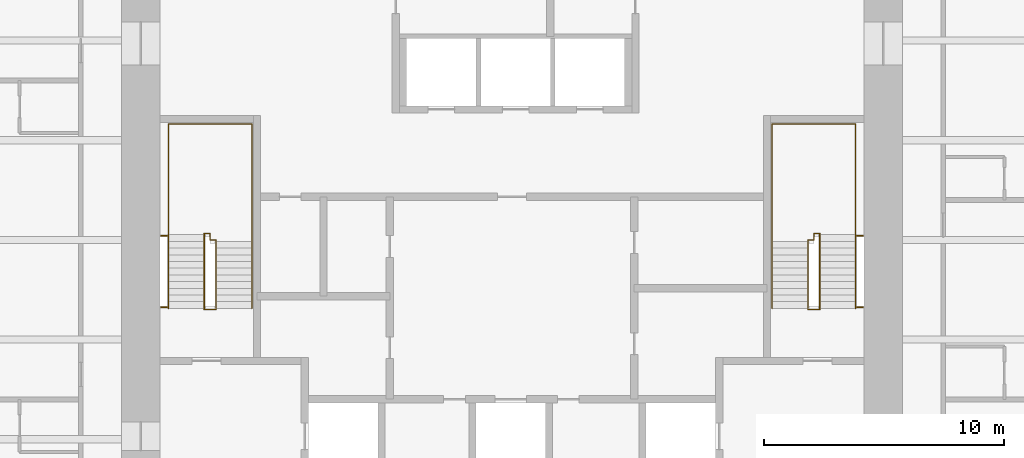
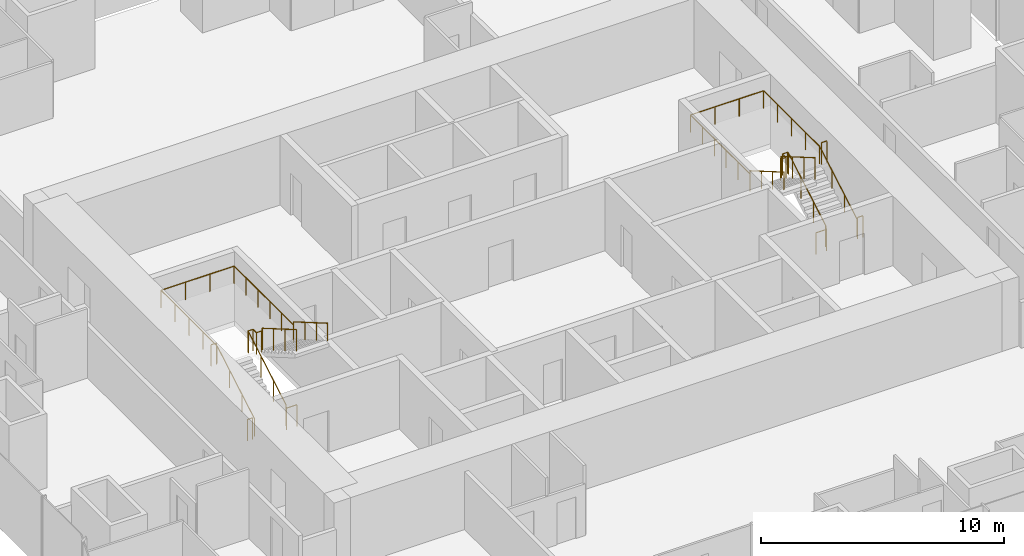
# One storey, part 12 of 12: 8 railings.
"""IFC4 building model written with IfcOpenShell, lengths in metres."""

from ifc_helpers import new_model, si_unit, direction, frame, origin, origin_2d, place, context, subcontext, project, spatial, circle, extrude, material, type_object, element, save


model = new_model("IFC4")

# Units and contexts
model_context = context("Model", 3, precision=1e-05, world=origin(), true_north=direction((0.0, 1.0)))
body_context = subcontext(model_context, "Body", "Model", "MODEL_VIEW")
ifc_project = project(units=[si_unit("LENGTHUNIT", "METRE"), si_unit("AREAUNIT", "SQUARE_METRE"), si_unit("VOLUMEUNIT", "CUBIC_METRE"), si_unit("PLANEANGLEUNIT", "RADIAN"), si_unit("MASSUNIT", "GRAM", prefix="KILO")], contexts=[model_context])

# Site, building, storey
site_placement = place(None, origin())
site = spatial("IfcSite", under=ifc_project, at=site_placement, CompositionType="ELEMENT")
building_placement = place(site_placement, origin())
building = spatial("IfcBuilding", under=site, at=building_placement, Name="Khuree Lantern Residences", CompositionType="ELEMENT")
storey_placement = place(building_placement, frame((0.0, 0.0, 203.25)))
storey = spatial("IfcBuildingStorey", under=building, at=storey_placement, Name="L50", CompositionType="ELEMENT", Elevation=203.25)

# Railings
ifc_material = material(Name="Steel S355", Category="steel")
railing_type_1 = type_object("IfcRailingType", Name="STAIR GUARD G1 1100", PredefinedType="GUARDRAIL", material=ifc_material)
railing_1_placement = place(storey_placement, frame((-12.35009765625, -2.909912109375, 0.0)))
element("IfcRailing", 1, at=railing_1_placement, inside=storey, type_object=railing_type_1, Name="Stair ST1 guard", PredefinedType="GUARDRAIL", context=body_context, shape_type="SweptSolid", body=[
    extrude(circle(Radius=0.02392578125, at=origin_2d()), frame((0.0, 0.0, 1.076171875), z_axis=(-1.0, 0.0, 0.0), x_axis=(0.0, -1.0, 0.0)), (0.0, 0.0, 1.0), 0.5),
    extrude(circle(Radius=0.02392578125, at=origin_2d()), frame((-0.5, 0.0, 1.076171875), z_axis=(0.0, 0.292073035251, 0.95639601739), x_axis=(-1.0, 0.0, 0.0)), (0.0, 0.0, 1.0), 0.17041015625),
    extrude(circle(Radius=0.02392578125, at=origin_2d()), frame((-0.5, 0.0498046875, 1.2392578125), z_axis=(0.0, 0.864176135923, 0.503189433615), x_axis=(-1.0, 0.0, 0.0)), (0.0, 0.0, 1.0), 3.564208984375),
    extrude(circle(Radius=0.02392578125, at=origin_2d()), frame((-0.5, 3.1298828125, 3.03271484375), z_axis=(0.0, 1.0, 0.0), x_axis=(-1.0, 0.0, 0.0)), (0.0, 0.0, 1.0), 0.050048828125),
    extrude(circle(Radius=0.02392578125, at=origin_2d()), frame((-0.5, 3.179931640625, 3.03271484375), z_axis=(1.0, 0.0, 0.0), x_axis=(0.0, 1.0, 0.0)), (0.0, 0.0, 1.0), 0.25),
    extrude(circle(Radius=0.02392578125, at=origin_2d()), frame((-0.25, 3.179931640625, 3.03271484375), z_axis=(0.0, -1.0, 0.0), x_axis=(1.0, 0.0, 0.0)), (0.0, 0.0, 1.0), 0.280029296875),
    extrude(circle(Radius=0.02392578125, at=origin_2d()), frame((-0.25, 2.89990234375, 3.03271484375), z_axis=(1.0, 0.0, 0.0), x_axis=(0.0, 1.0, 0.0)), (0.0, 0.0, 1.0), 0.25),
    extrude(circle(Radius=0.02392578125, at=origin_2d()), frame((0.0, 2.89990234375, 3.03271484375), z_axis=(0.0, -0.293381807449, 0.955995353053), x_axis=(1.0, 0.0, 0.0)), (0.0, 0.0, 1.0), 0.170654296875),
    extrude(circle(Radius=0.02392578125, at=origin_2d()), frame((0.0, 2.849853515625, 3.19580078125), z_axis=(0.0, -0.864180358799, 0.503182181189), x_axis=(1.0, 0.0, 0.0)), (0.0, 0.0, 1.0), 3.240234375),
    extrude(circle(Radius=0.02099609375, at=origin_2d()), origin(), (0.0, 0.0, 1.0), 1.052001953125),
    extrude(circle(Radius=0.02099609375, at=origin_2d()), frame((-0.5, 0.0, 0.0)), (0.0, 0.0, 1.0), 1.052001953125),
    extrude(circle(Radius=0.02099609375, at=origin_2d()), frame((-0.5, 0.0498046875, 0.1630859375)), (0.0, 0.0, 1.0), 1.052001953125),
    extrude(circle(Radius=0.02099609375, at=origin_2d()), frame((-0.5, 1.076416015625, 0.760986328125)), (0.0, 0.0, 1.0), 1.052001953125),
    extrude(circle(Radius=0.02099609375, at=origin_2d()), frame((-0.5, 2.103271484375, 1.358642578125)), (0.0, 0.0, 1.0), 1.052001953125),
    extrude(circle(Radius=0.02099609375, at=origin_2d()), frame((-0.5, 3.1298828125, 1.95654296875)), (0.0, 0.0, 1.0), 1.052001953125),
    extrude(circle(Radius=0.02099609375, at=origin_2d()), frame((-0.5, 3.179931640625, 1.95654296875)), (0.0, 0.0, 1.0), 1.052001953125),
    extrude(circle(Radius=0.02099609375, at=origin_2d()), frame((-0.25, 3.179931640625, 1.95654296875)), (0.0, 0.0, 1.0), 1.052001953125),
    extrude(circle(Radius=0.02099609375, at=origin_2d()), frame((-0.25, 2.89990234375, 1.95654296875)), (0.0, 0.0, 1.0), 1.052001953125),
    extrude(circle(Radius=0.02099609375, at=origin_2d()), frame((0.0, 2.89990234375, 1.95654296875)), (0.0, 0.0, 1.0), 1.052001953125),
    extrude(circle(Radius=0.02099609375, at=origin_2d()), frame((0.0, 2.849853515625, 2.11962890625)), (0.0, 0.0, 1.0), 1.052001953125),
    extrude(circle(Radius=0.02099609375, at=origin_2d()), frame((0.0, 1.91650390625, 2.6630859375)), (0.0, 0.0, 1.0), 1.052001953125),
    extrude(circle(Radius=0.02099609375, at=origin_2d()), frame((0.0, 0.983154296875, 3.20654296875)), (0.0, 0.0, 1.0), 1.052001953125),
    extrude(circle(Radius=0.02099609375, at=origin_2d()), frame((0.0, 0.0498046875, 3.75)), (0.0, 0.0, 1.0), 1.052001953125),
])
for number, where, name in (
    (2, (-14.64990234375, -2.81005859375, 0.0), "Stair ST1 landing slot guard"),
    (3, (-14.64990234375, 0.169921875, 1.95654296875), "Stair ST1 landing slot guard"),
):
    element("IfcRailing", number, at=place(storey_placement, frame(where)), inside=storey, type_object=railing_type_1, Name=name, PredefinedType="GUARDRAIL", context=body_context, shape_type="SweptSolid", body=[
        extrude(circle(Radius=0.02392578125, at=origin_2d()), frame((0.0, 0.0, 1.076171875), z_axis=(1.0, 0.0, 0.0), x_axis=(0.0, 1.0, 0.0)), (0.0, 0.0, 1.0), 0.25),
        extrude(circle(Radius=0.02099609375, at=origin_2d()), origin(), (0.0, 0.0, 1.0), 1.052001953125),
        extrude(circle(Radius=0.02099609375, at=origin_2d()), frame((0.25, 0.0, 0.0)), (0.0, 0.0, 1.0), 1.052001953125),
    ])
railing_2_placement = place(storey_placement, frame((12.35009765625, -2.909912109375, 0.0)))
element("IfcRailing", 4, at=railing_2_placement, inside=storey, type_object=railing_type_1, Name="Stair ST2 guard", PredefinedType="GUARDRAIL", context=body_context, shape_type="SweptSolid", body=[
    extrude(circle(Radius=0.02392578125, at=origin_2d()), frame((0.0, 0.0, 1.076171875), z_axis=(1.0, 0.0, 0.0), x_axis=(0.0, 1.0, 0.0)), (0.0, 0.0, 1.0), 0.5),
    extrude(circle(Radius=0.02392578125, at=origin_2d()), frame((0.5, 0.0, 1.076171875), z_axis=(0.0, 0.292073035251, 0.95639601739), x_axis=(-1.0, 0.0, 0.0)), (0.0, 0.0, 1.0), 0.17041015625),
    extrude(circle(Radius=0.02392578125, at=origin_2d()), frame((0.5, 0.0498046875, 1.2392578125), z_axis=(0.0, 0.864176135923, 0.503189433615), x_axis=(-1.0, 0.0, 0.0)), (0.0, 0.0, 1.0), 3.564208984375),
    extrude(circle(Radius=0.02392578125, at=origin_2d()), frame((0.5, 3.1298828125, 3.03271484375), z_axis=(0.0, 1.0, 0.0), x_axis=(-1.0, 0.0, 0.0)), (0.0, 0.0, 1.0), 0.050048828125),
    extrude(circle(Radius=0.02392578125, at=origin_2d()), frame((0.5, 3.179931640625, 3.03271484375), z_axis=(-1.0, 0.0, 0.0), x_axis=(0.0, -1.0, 0.0)), (0.0, 0.0, 1.0), 0.25),
    extrude(circle(Radius=0.02392578125, at=origin_2d()), frame((0.25, 3.179931640625, 3.03271484375), z_axis=(0.0, -1.0, 0.0), x_axis=(1.0, 0.0, 0.0)), (0.0, 0.0, 1.0), 0.280029296875),
    extrude(circle(Radius=0.02392578125, at=origin_2d()), frame((0.25, 2.89990234375, 3.03271484375), z_axis=(-1.0, 0.0, 0.0), x_axis=(0.0, -1.0, 0.0)), (0.0, 0.0, 1.0), 0.25),
    extrude(circle(Radius=0.02392578125, at=origin_2d()), frame((0.0, 2.89990234375, 3.03271484375), z_axis=(0.0, -0.293381807449, 0.955995353053), x_axis=(1.0, 0.0, 0.0)), (0.0, 0.0, 1.0), 0.170654296875),
    extrude(circle(Radius=0.02392578125, at=origin_2d()), frame((0.0, 2.849853515625, 3.19580078125), z_axis=(0.0, -0.864180358799, 0.503182181189), x_axis=(1.0, 0.0, 0.0)), (0.0, 0.0, 1.0), 3.240234375),
    extrude(circle(Radius=0.02099609375, at=origin_2d()), origin(), (0.0, 0.0, 1.0), 1.052001953125),
    extrude(circle(Radius=0.02099609375, at=origin_2d()), frame((0.5, 0.0, 0.0)), (0.0, 0.0, 1.0), 1.052001953125),
    extrude(circle(Radius=0.02099609375, at=origin_2d()), frame((0.5, 0.0498046875, 0.1630859375)), (0.0, 0.0, 1.0), 1.052001953125),
    extrude(circle(Radius=0.02099609375, at=origin_2d()), frame((0.5, 1.076416015625, 0.760986328125)), (0.0, 0.0, 1.0), 1.052001953125),
    extrude(circle(Radius=0.02099609375, at=origin_2d()), frame((0.5, 2.103271484375, 1.358642578125)), (0.0, 0.0, 1.0), 1.052001953125),
    extrude(circle(Radius=0.02099609375, at=origin_2d()), frame((0.5, 3.1298828125, 1.95654296875)), (0.0, 0.0, 1.0), 1.052001953125),
    extrude(circle(Radius=0.02099609375, at=origin_2d()), frame((0.5, 3.179931640625, 1.95654296875)), (0.0, 0.0, 1.0), 1.052001953125),
    extrude(circle(Radius=0.02099609375, at=origin_2d()), frame((0.25, 3.179931640625, 1.95654296875)), (0.0, 0.0, 1.0), 1.052001953125),
    extrude(circle(Radius=0.02099609375, at=origin_2d()), frame((0.25, 2.89990234375, 1.95654296875)), (0.0, 0.0, 1.0), 1.052001953125),
    extrude(circle(Radius=0.02099609375, at=origin_2d()), frame((0.0, 2.89990234375, 1.95654296875)), (0.0, 0.0, 1.0), 1.052001953125),
    extrude(circle(Radius=0.02099609375, at=origin_2d()), frame((0.0, 2.849853515625, 2.11962890625)), (0.0, 0.0, 1.0), 1.052001953125),
    extrude(circle(Radius=0.02099609375, at=origin_2d()), frame((0.0, 1.91650390625, 2.6630859375)), (0.0, 0.0, 1.0), 1.052001953125),
    extrude(circle(Radius=0.02099609375, at=origin_2d()), frame((0.0, 0.983154296875, 3.20654296875)), (0.0, 0.0, 1.0), 1.052001953125),
    extrude(circle(Radius=0.02099609375, at=origin_2d()), frame((0.0, 0.0498046875, 3.75)), (0.0, 0.0, 1.0), 1.052001953125),
])
for number, where, name in (
    (5, (14.64990234375, -2.81005859375, 0.0), "Stair ST2 landing slot guard"),
    (6, (14.64990234375, 0.169921875, 1.95654296875), "Stair ST2 landing slot guard"),
):
    element("IfcRailing", number, at=place(storey_placement, frame(where)), inside=storey, type_object=railing_type_1, Name=name, PredefinedType="GUARDRAIL", context=body_context, shape_type="SweptSolid", body=[
        extrude(circle(Radius=0.02392578125, at=origin_2d()), frame((0.0, 0.0, 1.076171875), z_axis=(-1.0, 0.0, 0.0), x_axis=(0.0, -1.0, 0.0)), (0.0, 0.0, 1.0), 0.25),
        extrude(circle(Radius=0.02099609375, at=origin_2d()), origin(), (0.0, 0.0, 1.0), 1.052001953125),
        extrude(circle(Radius=0.02099609375, at=origin_2d()), frame((-0.25, 0.0, 0.0)), (0.0, 0.0, 1.0), 1.052001953125),
    ])
railing_type_2 = type_object("IfcRailingType", Name="STAIR HANDRAIL H1 900", PredefinedType="HANDRAIL", material=ifc_material)
railing_3_placement = place(storey_placement, frame((-14.340087890625, -2.860107421875, 0.1630859375)))
element("IfcRailing", 7, at=railing_3_placement, inside=storey, type_object=railing_type_2, Name="Stair ST1 handrail", PredefinedType="HANDRAIL", context=body_context, shape_type="SweptSolid", body=[
    extrude(circle(Radius=0.02392578125, at=origin_2d()), frame((0.0, 0.0, 0.8759765625), z_axis=(0.0, 0.864176135923, 0.503189433615), x_axis=(-1.0, 0.0, 0.0)), (0.0, 0.0, 1.0), 3.564208984375),
    extrude(circle(Radius=0.02392578125, at=origin_2d()), frame((0.0, 3.080078125, 2.66943359375), z_axis=(0.0, 1.0, 0.0), x_axis=(-1.0, 0.0, 0.0)), (0.0, 0.0, 1.0), 4.6201171875),
    extrude(circle(Radius=0.02392578125, at=origin_2d()), frame((0.0, 7.7001953125, 2.66943359375), z_axis=(1.0, 0.0, 0.0), x_axis=(0.0, 1.0, 0.0)), (0.0, 0.0, 1.0), 3.47998046875),
    extrude(circle(Radius=0.02392578125, at=origin_2d()), frame((3.47998046875, 7.7001953125, 2.66943359375), z_axis=(0.0, -1.0, 0.0), x_axis=(1.0, 0.0, 0.0)), (0.0, 0.0, 1.0), 4.900146484375),
    extrude(circle(Radius=0.02392578125, at=origin_2d()), frame((3.47998046875, 2.800048828125, 2.66943359375), z_axis=(0.0, 0.0, 1.0), x_axis=(1.0, 0.0, 0.0)), (0.0, 0.0, 1.0), 0.1630859375),
    extrude(circle(Radius=0.02392578125, at=origin_2d()), frame((3.47998046875, 2.800048828125, 2.83251953125), z_axis=(0.0, -0.864180358799, 0.503182181189), x_axis=(1.0, 0.0, 0.0)), (0.0, 0.0, 1.0), 3.240234375),
    extrude(circle(Radius=0.02099609375, at=origin_2d()), origin(), (0.0, 0.0, 1.0), 0.851806640625),
    extrude(circle(Radius=0.02099609375, at=origin_2d()), frame((0.0, 1.026611328125, 0.597900390625)), (0.0, 0.0, 1.0), 0.851806640625),
    extrude(circle(Radius=0.02099609375, at=origin_2d()), frame((0.0, 2.053466796875, 1.195556640625)), (0.0, 0.0, 1.0), 0.851806640625),
    extrude(circle(Radius=0.02099609375, at=origin_2d()), frame((0.0, 3.080078125, 1.79345703125)), (0.0, 0.0, 1.0), 0.851806640625),
    extrude(circle(Radius=0.02099609375, at=origin_2d()), frame((0.0, 4.235107421875, 1.79345703125)), (0.0, 0.0, 1.0), 0.851806640625),
    extrude(circle(Radius=0.02099609375, at=origin_2d()), frame((0.0, 5.39013671875, 1.79345703125)), (0.0, 0.0, 1.0), 0.851806640625),
    extrude(circle(Radius=0.02099609375, at=origin_2d()), frame((0.0, 6.545166015625, 1.79345703125)), (0.0, 0.0, 1.0), 0.851806640625),
    extrude(circle(Radius=0.02099609375, at=origin_2d()), frame((0.0, 7.7001953125, 1.79345703125)), (0.0, 0.0, 1.0), 0.851806640625),
    extrude(circle(Radius=0.02099609375, at=origin_2d()), frame((1.159912109375, 7.7001953125, 1.79345703125)), (0.0, 0.0, 1.0), 0.851806640625),
    extrude(circle(Radius=0.02099609375, at=origin_2d()), frame((2.320068359375, 7.7001953125, 1.79345703125)), (0.0, 0.0, 1.0), 0.851806640625),
    extrude(circle(Radius=0.02099609375, at=origin_2d()), frame((3.47998046875, 7.7001953125, 1.79345703125)), (0.0, 0.0, 1.0), 0.851806640625),
    extrude(circle(Radius=0.02099609375, at=origin_2d()), frame((3.47998046875, 6.72021484375, 1.79345703125)), (0.0, 0.0, 1.0), 0.851806640625),
    extrude(circle(Radius=0.02099609375, at=origin_2d()), frame((3.47998046875, 5.740234375, 1.79345703125)), (0.0, 0.0, 1.0), 0.851806640625),
    extrude(circle(Radius=0.02099609375, at=origin_2d()), frame((3.47998046875, 4.760009765625, 1.79345703125)), (0.0, 0.0, 1.0), 0.851806640625),
    extrude(circle(Radius=0.02099609375, at=origin_2d()), frame((3.47998046875, 3.780029296875, 1.79345703125)), (0.0, 0.0, 1.0), 0.851806640625),
    extrude(circle(Radius=0.02099609375, at=origin_2d()), frame((3.47998046875, 2.800048828125, 1.79345703125)), (0.0, 0.0, 1.0), 0.851806640625),
    extrude(circle(Radius=0.02099609375, at=origin_2d()), frame((3.47998046875, 2.800048828125, 1.95654296875)), (0.0, 0.0, 1.0), 0.851806640625),
    extrude(circle(Radius=0.02099609375, at=origin_2d()), frame((3.47998046875, 1.86669921875, 2.5)), (0.0, 0.0, 1.0), 0.851806640625),
    extrude(circle(Radius=0.02099609375, at=origin_2d()), frame((3.47998046875, 0.933349609375, 3.04345703125)), (0.0, 0.0, 1.0), 0.851806640625),
    extrude(circle(Radius=0.02099609375, at=origin_2d()), frame((3.47998046875, 0.0, 3.5869140625)), (0.0, 0.0, 1.0), 0.851806640625),
])
railing_4_placement = place(storey_placement, frame((14.340087890625, -2.860107421875, 0.1630859375)))
element("IfcRailing", 8, at=railing_4_placement, inside=storey, type_object=railing_type_2, Name="Stair ST2 handrail", PredefinedType="HANDRAIL", context=body_context, shape_type="SweptSolid", body=[
    extrude(circle(Radius=0.02392578125, at=origin_2d()), frame((0.0, 0.0, 0.8759765625), z_axis=(0.0, 0.864176135923, 0.503189433615), x_axis=(-1.0, 0.0, 0.0)), (0.0, 0.0, 1.0), 3.564208984375),
    extrude(circle(Radius=0.02392578125, at=origin_2d()), frame((0.0, 3.080078125, 2.66943359375), z_axis=(0.0, 1.0, 0.0), x_axis=(-1.0, 0.0, 0.0)), (0.0, 0.0, 1.0), 4.6201171875),
    extrude(circle(Radius=0.02392578125, at=origin_2d()), frame((0.0, 7.7001953125, 2.66943359375), z_axis=(-1.0, 0.0, 0.0), x_axis=(0.0, -1.0, 0.0)), (0.0, 0.0, 1.0), 3.47998046875),
    extrude(circle(Radius=0.02392578125, at=origin_2d()), frame((-3.47998046875, 7.7001953125, 2.66943359375), z_axis=(0.0, -1.0, 0.0), x_axis=(1.0, 0.0, 0.0)), (0.0, 0.0, 1.0), 4.900146484375),
    extrude(circle(Radius=0.02392578125, at=origin_2d()), frame((-3.47998046875, 2.800048828125, 2.66943359375), z_axis=(0.0, 0.0, 1.0), x_axis=(1.0, 0.0, 0.0)), (0.0, 0.0, 1.0), 0.1630859375),
    extrude(circle(Radius=0.02392578125, at=origin_2d()), frame((-3.47998046875, 2.800048828125, 2.83251953125), z_axis=(0.0, -0.864180358799, 0.503182181189), x_axis=(1.0, 0.0, 0.0)), (0.0, 0.0, 1.0), 3.240234375),
    extrude(circle(Radius=0.02099609375, at=origin_2d()), origin(), (0.0, 0.0, 1.0), 0.851806640625),
    extrude(circle(Radius=0.02099609375, at=origin_2d()), frame((0.0, 1.026611328125, 0.597900390625)), (0.0, 0.0, 1.0), 0.851806640625),
    extrude(circle(Radius=0.02099609375, at=origin_2d()), frame((0.0, 2.053466796875, 1.195556640625)), (0.0, 0.0, 1.0), 0.851806640625),
    extrude(circle(Radius=0.02099609375, at=origin_2d()), frame((0.0, 3.080078125, 1.79345703125)), (0.0, 0.0, 1.0), 0.851806640625),
    extrude(circle(Radius=0.02099609375, at=origin_2d()), frame((0.0, 4.235107421875, 1.79345703125)), (0.0, 0.0, 1.0), 0.851806640625),
    extrude(circle(Radius=0.02099609375, at=origin_2d()), frame((0.0, 5.39013671875, 1.79345703125)), (0.0, 0.0, 1.0), 0.851806640625),
    extrude(circle(Radius=0.02099609375, at=origin_2d()), frame((0.0, 6.545166015625, 1.79345703125)), (0.0, 0.0, 1.0), 0.851806640625),
    extrude(circle(Radius=0.02099609375, at=origin_2d()), frame((0.0, 7.7001953125, 1.79345703125)), (0.0, 0.0, 1.0), 0.851806640625),
    extrude(circle(Radius=0.02099609375, at=origin_2d()), frame((-1.159912109375, 7.7001953125, 1.79345703125)), (0.0, 0.0, 1.0), 0.851806640625),
    extrude(circle(Radius=0.02099609375, at=origin_2d()), frame((-2.320068359375, 7.7001953125, 1.79345703125)), (0.0, 0.0, 1.0), 0.851806640625),
    extrude(circle(Radius=0.02099609375, at=origin_2d()), frame((-3.47998046875, 7.7001953125, 1.79345703125)), (0.0, 0.0, 1.0), 0.851806640625),
    extrude(circle(Radius=0.02099609375, at=origin_2d()), frame((-3.47998046875, 6.72021484375, 1.79345703125)), (0.0, 0.0, 1.0), 0.851806640625),
    extrude(circle(Radius=0.02099609375, at=origin_2d()), frame((-3.47998046875, 5.740234375, 1.79345703125)), (0.0, 0.0, 1.0), 0.851806640625),
    extrude(circle(Radius=0.02099609375, at=origin_2d()), frame((-3.47998046875, 4.760009765625, 1.79345703125)), (0.0, 0.0, 1.0), 0.851806640625),
    extrude(circle(Radius=0.02099609375, at=origin_2d()), frame((-3.47998046875, 3.780029296875, 1.79345703125)), (0.0, 0.0, 1.0), 0.851806640625),
    extrude(circle(Radius=0.02099609375, at=origin_2d()), frame((-3.47998046875, 2.800048828125, 1.79345703125)), (0.0, 0.0, 1.0), 0.851806640625),
    extrude(circle(Radius=0.02099609375, at=origin_2d()), frame((-3.47998046875, 2.800048828125, 1.95654296875)), (0.0, 0.0, 1.0), 0.851806640625),
    extrude(circle(Radius=0.02099609375, at=origin_2d()), frame((-3.47998046875, 1.86669921875, 2.5)), (0.0, 0.0, 1.0), 0.851806640625),
    extrude(circle(Radius=0.02099609375, at=origin_2d()), frame((-3.47998046875, 0.933349609375, 3.04345703125)), (0.0, 0.0, 1.0), 0.851806640625),
    extrude(circle(Radius=0.02099609375, at=origin_2d()), frame((-3.47998046875, 0.0, 3.5869140625)), (0.0, 0.0, 1.0), 0.851806640625),
])

save(model, "model.ifc")
